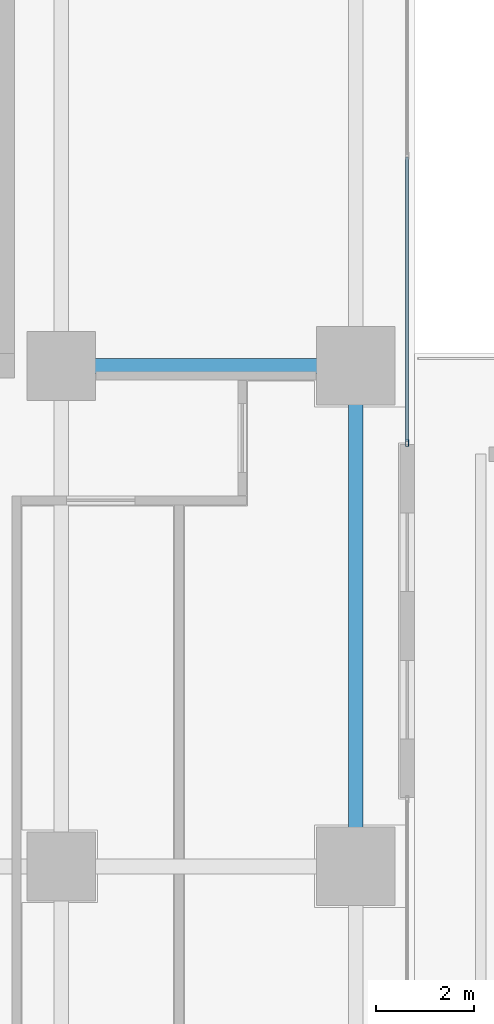
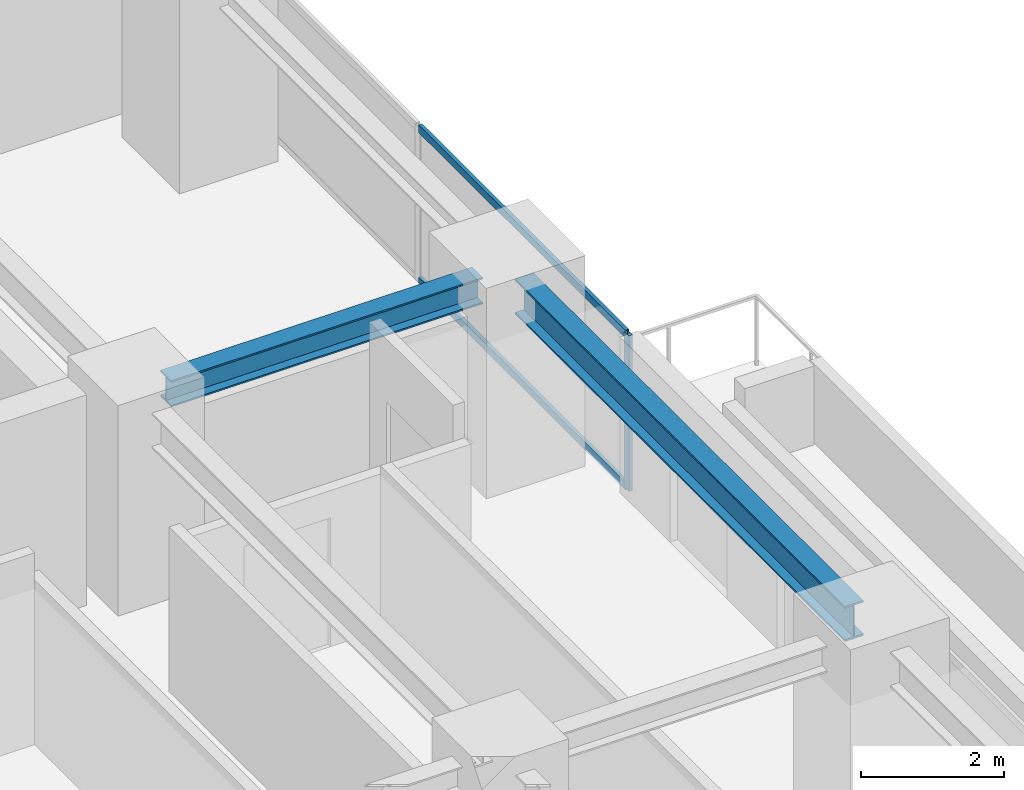
# One storey, part 19 of 32: 3 members, 2 beams, 1 element without a shape of its own.
"""IFC4 building model written with IfcOpenShell, lengths in metres."""

from ifc_helpers import new_model, si_unit, direction, frame, origin, origin_2d, place, context, subcontext, project, spatial, hollow_rectangle, i_section, extrude, source, transform, mapped, material, layer, layer_set, material_profile, profile_set, type_object, element, aggregate, save


model = new_model("IFC4")

# Units and contexts
model_context = context("Model", 3, precision=1e-05, world=origin(), true_north=direction((0.0, 1.0)))
body_context = subcontext(model_context, "Body", "Model", "MODEL_VIEW")
ifc_project = project(units=[si_unit("LENGTHUNIT", "METRE"), si_unit("AREAUNIT", "SQUARE_METRE"), si_unit("VOLUMEUNIT", "CUBIC_METRE"), si_unit("PLANEANGLEUNIT", "RADIAN"), si_unit("MASSUNIT", "GRAM", prefix="KILO")], contexts=[model_context])

# Site, building, storey
site_placement = place(None, origin())
site = spatial("IfcSite", under=ifc_project, at=site_placement, CompositionType="ELEMENT")
building_placement = place(site_placement, origin())
building = spatial("IfcBuilding", under=site, at=building_placement, Name="Sumidabori Civic Tower", CompositionType="ELEMENT")
storey_placement = place(building_placement, frame((0.0, 0.0, 225.199951171875)))
storey = spatial("IfcBuildingStorey", under=building, at=storey_placement, Name="L58", CompositionType="ELEMENT", Elevation=225.199951171875)

# Beams
ifc_material_1 = material(Name="Steel SN490", Category="steel")
ifc_material_profile_1 = material_profile(ifc_material_1, i_section(OverallWidth=0.300048828125, OverallDepth=0.60009765625, WebThickness=0.015380859375, FlangeThickness=0.030029296875, at=origin_2d()), Name="HE 600 B")
ifc_profile_set_1 = profile_set([ifc_material_profile_1], Name="Steel SN490")
beam_type_1 = type_object("IfcBeamType", Name="BM-GIRD-600", PredefinedType="BEAM", material=ifc_profile_set_1)
shared_shape_1 = source(origin(), body_context, "Body", "SweptSolid", [
    extrude(i_section(OverallWidth=0.300048828125, OverallDepth=0.60009765625, WebThickness=0.015380859375, FlangeThickness=0.030029296875, at=origin_2d()), origin(), (0.0, 0.0, 1.0), 9.239990234375),
])
beam_1_placement = place(storey_placement, frame((22.800048828125, 0.47998046875, 3.0400390625), z_axis=(0.0, 1.0, 0.0), x_axis=(-1.0, 0.0, 0.0)))
element("IfcBeam", 1, at=beam_1_placement, inside=storey, type_object=beam_type_1, Name="Primary Girder L58 GY-23", PredefinedType="BEAM", context=body_context, shape_type="MappedRepresentation", body=[
    mapped(shared_shape_1, transform((0.0, 0.0, 0.0), x_axis=(1.0, 0.0, 0.0), y_axis=(0.0, 1.0, 0.0), z_axis=(0.0, 0.0, 1.0), scale=1.0)),
])
ifc_material_profile_2 = material_profile(ifc_material_1, i_section(OverallWidth=0.300048828125, OverallDepth=0.449951171875, WebThickness=0.013916015625, FlangeThickness=0.02587890625, at=origin_2d()), Name="HE 450 B")
ifc_profile_set_2 = profile_set([ifc_material_profile_2], Name="Steel SN490")
beam_type_2 = type_object("IfcBeamType", Name="BM-GIRD-450", PredefinedType="BEAM", material=ifc_profile_set_2)
shared_shape_2 = source(origin(), body_context, "Body", "SweptSolid", [
    extrude(i_section(OverallWidth=0.300048828125, OverallDepth=0.449951171875, WebThickness=0.013916015625, FlangeThickness=0.02587890625, at=origin_2d()), origin(), (0.0, 0.0, 1.0), 5.0400390625),
])
beam_2_placement = place(storey_placement, frame((17.280029296875, 10.199951171875, 3.054931640625), z_axis=(1.0, 0.0, 0.0), x_axis=(0.0, 1.0, 0.0)))
element("IfcBeam", 2, at=beam_2_placement, inside=storey, type_object=beam_type_2, Name="Primary Girder L58 GX-10", PredefinedType="BEAM", context=body_context, shape_type="MappedRepresentation", body=[
    mapped(shared_shape_2, transform((0.0, 0.0, 0.0), x_axis=(1.0, 0.0, 0.0), y_axis=(0.0, 1.0, 0.0), z_axis=(0.0, 0.0, 1.0), scale=1.0)),
])

# Curtain wall, members
ifc_material_2 = material(Name="Anodised Bronze Aluminium AW-6063-T6", Category="aluminium")
ifc_layer = layer(ifc_material_2, 0.179931640625, Name="Anodised Bronze Aluminium AW-6063-T6")
ifc_layer_set = layer_set([ifc_layer], Name="Anodised Bronze Aluminium AW-6063-T6")
curtain_wall_type = type_object("IfcCurtainWallType", Name="CW-SYS-5", PredefinedType="NOTDEFINED", material=ifc_layer_set)
curtain_wall_placement = place(storey_placement, origin())
curtain_wall = element("IfcCurtainWall", 3, at=curtain_wall_placement, inside=storey, type_object=curtain_wall_type, Name="Curtain Wall CW:L58:R11", PredefinedType="NOTDEFINED")
ifc_material_profile_3 = material_profile(ifc_material_2, hollow_rectangle(XDim=0.06005859375, YDim=0.139892578125, WallThickness=0.0048828125, at=origin_2d()), Name="ALU MULLION 140x60")
ifc_profile_set_3 = profile_set([ifc_material_profile_3], Name="Anodised Bronze Aluminium AW-6063-T6")
member_type_1 = type_object("IfcMemberType", Name="CW-MUL-140", PredefinedType="MULLION", material=ifc_profile_set_3)
shared_shape_3 = source(origin(), body_context, "Body", "SweptSolid", [
    extrude(hollow_rectangle(XDim=0.06005859375, YDim=0.139892578125, WallThickness=0.0048828125, at=origin_2d()), origin(), (0.0, 0.0, 1.0), 2.66015625),
])
member_1_placement = place(storey_placement, frame((23.85009765625, 8.6298828125, 0.0), z_axis=(0.0, 0.0, 1.0), x_axis=(-1.0, 0.0, 0.0)))
member_1 = element("IfcMember", 4, at=member_1_placement, type_object=member_type_1, Name="CW-5 mullion 1", PredefinedType="MULLION", context=body_context, shape_type="MappedRepresentation", body=[
    mapped(shared_shape_3, transform((0.0, 0.0, 0.0), x_axis=(1.0, 0.0, 0.0), y_axis=(0.0, 1.0, 0.0), z_axis=(0.0, 0.0, 1.0), scale=1.0)),
])
ifc_material_profile_4 = material_profile(ifc_material_2, hollow_rectangle(XDim=0.06005859375, YDim=0.1298828125, WallThickness=0.0048828125, at=origin_2d()), Name="ALU TRANSOM 130x60")
ifc_profile_set_4 = profile_set([ifc_material_profile_4], Name="Anodised Bronze Aluminium AW-6063-T6")
member_type_2 = type_object("IfcMemberType", Name="CW-TRN-130", PredefinedType="USERDEFINED", material=ifc_profile_set_4)
shared_shape_4 = source(origin(), body_context, "Body", "SweptSolid", [
    extrude(hollow_rectangle(XDim=0.06005859375, YDim=0.1298828125, WallThickness=0.0048828125, at=origin_2d()), origin(), (0.0, 0.0, 1.0), 5.795166015625),
])
member_2_placement = place(storey_placement, frame((23.85009765625, 8.659912109375, 0.030029296875), z_axis=(0.0, 1.0, 0.0), x_axis=(-1.0, 0.0, 0.0)))
member_2 = element("IfcMember", 5, at=member_2_placement, type_object=member_type_2, Name="CW-5 transom 1.1", ObjectType="TRANSOM", PredefinedType="USERDEFINED", context=body_context, shape_type="MappedRepresentation", body=[
    mapped(shared_shape_4, transform((0.0, 0.0, 0.0), x_axis=(1.0, 0.0, 0.0), y_axis=(0.0, 1.0, 0.0), z_axis=(0.0, 0.0, 1.0), scale=1.0)),
])
member_3_placement = place(storey_placement, frame((23.85009765625, 8.659912109375, 2.630126953125), z_axis=(0.0, 1.0, 0.0), x_axis=(-1.0, 0.0, 0.0)))
member_3 = element("IfcMember", 6, at=member_3_placement, type_object=member_type_2, Name="CW-5 transom 1.2", ObjectType="TRANSOM", PredefinedType="USERDEFINED", context=body_context, shape_type="MappedRepresentation", body=[
    mapped(shared_shape_4, transform((0.0, 0.0, 0.0), x_axis=(1.0, 0.0, 0.0), y_axis=(0.0, 1.0, 0.0), z_axis=(0.0, 0.0, 1.0), scale=1.0)),
])
aggregate(curtain_wall, [member_1, member_2, member_3])

save(model, "model.ifc")
